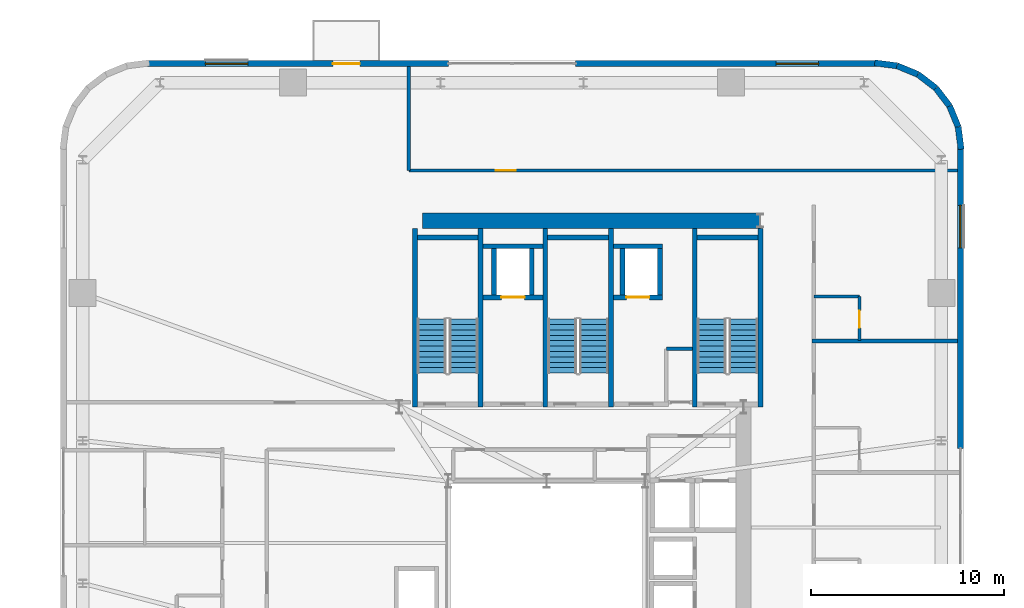
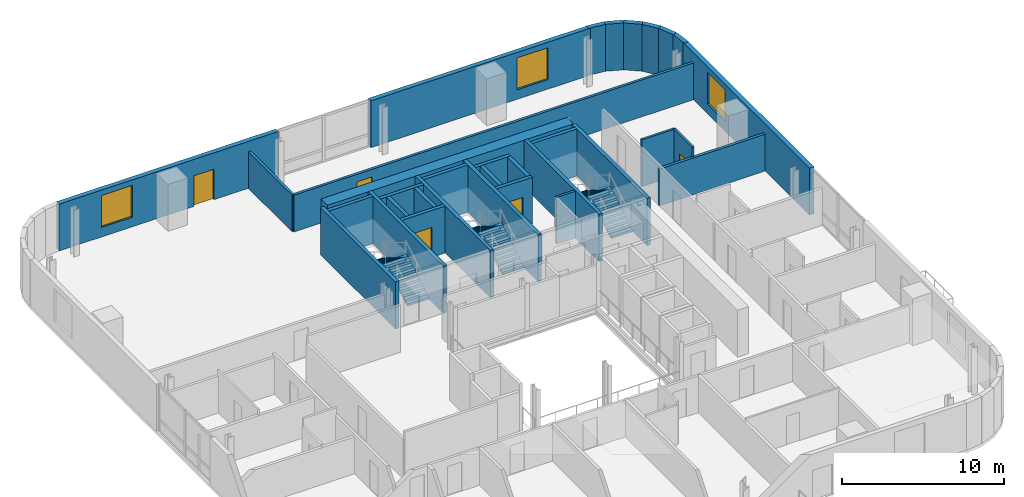
# One storey, part 11 of 16: 33 walls, 6 stair flights, 5 doors, 3 windows, 8 openings, 3 elements without a shape of their own.
"""IFC4 building model written with IfcOpenShell, lengths in metres."""

from ifc_helpers import new_model, si_unit, direction, frame, frame_2d, origin, place, context, subcontext, project, spatial, polyline, rectangle, outline, extrude, source, transform, mapped, material, layer, layer_set, type_object, element, fill, aggregate, save


model = new_model("IFC4")

# Units and contexts
model_context = context("Model", 3, precision=1e-05, world=origin(), true_north=direction((0.0, 1.0)))
body_context = subcontext(model_context, "Body", "Model", "MODEL_VIEW")
ifc_project = project(units=[si_unit("LENGTHUNIT", "METRE"), si_unit("AREAUNIT", "SQUARE_METRE"), si_unit("VOLUMEUNIT", "CUBIC_METRE"), si_unit("PLANEANGLEUNIT", "RADIAN"), si_unit("MASSUNIT", "GRAM", prefix="KILO")], contexts=[model_context])

# Site, building, storey
site_placement = place(None, origin())
site = spatial("IfcSite", under=ifc_project, at=site_placement, CompositionType="ELEMENT")
building_placement = place(site_placement, origin())
building = spatial("IfcBuilding", under=site, at=building_placement, Name="Vardaveli Station Tower", CompositionType="ELEMENT")
storey_placement = place(building_placement, frame((0.0, 0.0, 199.800048828125)))
storey = spatial("IfcBuildingStorey", under=building, at=storey_placement, Name="L51", CompositionType="ELEMENT", Elevation=199.800048828125)

# Wall
ifc_material_1 = material(Name="Concrete C50/60", Category="concrete")
ifc_layer_1 = layer(ifc_material_1, 0.800048828125, Name="Concrete C50/60")
ifc_layer_set_1 = layer_set([ifc_layer_1], Name="Concrete C50/60")
wall_type_1 = type_object("IfcWallType", Name="WAL-CORE-800", PredefinedType="SHEAR", material=ifc_layer_set_1)
shared_shape_1 = source(origin(), body_context, "Body", "SweptSolid", [
    extrude(rectangle(XDim=17.52001953125, YDim=0.800048828125, at=frame_2d((8.760009765625, 0.0))), origin(), (0.0, 0.0, 1.0), 3.530029296875),
])
wall_1_placement = place(storey_placement, frame((29.85009765625, 40.300048828125, 0.0), z_axis=(0.0, 0.0, 1.0), x_axis=(1.0, 0.0, 0.0)))
element("IfcWall", 1, at=wall_1_placement, inside=storey, type_object=wall_type_1, Name="SW-L51-NORTH", PredefinedType="SHEAR", context=body_context, shape_type="MappedRepresentation", body=[
    mapped(shared_shape_1, transform((0.0, 0.0, 0.0), scale=1.0)),
])

# Wall, opening, window
ifc_material_2 = material(Name="Precast concrete C45/55", Category="concrete")
ifc_layer_2 = layer(ifc_material_2, 0.320068359375, Name="Precast concrete C45/55")
ifc_layer_set_2 = layer_set([ifc_layer_2], Name="Precast concrete C45/55")
wall_type_2 = type_object("IfcWallType", Name="WAL-EXT-STONE-320", PredefinedType="SOLIDWALL", material=ifc_layer_set_2)
shared_shape_2 = source(origin(), body_context, "Body", "SweptSolid", [
    extrude(rectangle(XDim=15.599853515625, YDim=0.320068359375, at=frame_2d((7.7998046875, 0.0))), origin(), (0.0, 0.0, 1.0), 3.530029296875),
])
wall_2_placement = place(storey_placement, frame((53.39990234375, 48.43994140625, 0.0), z_axis=(0.0, 0.0, 1.0), x_axis=(-1.0, 0.0, 0.0)))
wall_2 = element("IfcWall", 2, at=wall_2_placement, inside=storey, type_object=wall_type_2, Name="EW-L51-N1", PredefinedType="SOLIDWALL", context=body_context, shape_type="MappedRepresentation", body=[
    mapped(shared_shape_2, transform((0.0, 0.0, 0.0), scale=1.0)),
])
shared_shape_3 = source(origin(), body_context, "Body", "SweptSolid", [
    extrude(rectangle(XDim=2.199951171875, YDim=2.39990234375, at=frame_2d((1.10009765625, 1.199951171875))), frame((0.0, 0.169921875, 0.0), z_axis=(0.0, -1.0, 0.0), x_axis=(1.0, 0.0, 0.0)), (0.0, 0.0, 1.0), 0.340087890625),
])
opening_1_placement = place(wall_2_placement, frame((3.0048828125, 0.0, 0.719970703125)))
opening_1 = element("IfcOpeningElement", 3, at=opening_1_placement, cuts=wall_2, Name="Opening W-03", PredefinedType="OPENING", context=body_context, shape_type="MappedRepresentation", body=[
    mapped(shared_shape_3, transform((0.0, 0.0, 0.0), scale=1.0)),
])
ifc_material_3 = material(Name="Low-E solar-control glass", Category="glass")
window_type = type_object("IfcWindowType", Name="WIN-LOG-2200x2400", PartitioningType="SINGLE_PANEL", PredefinedType="WINDOW", material=ifc_material_3)
shared_shape_4 = source(origin(), body_context, "Body", "SweptSolid", [
    extrude(rectangle(XDim=2.199951171875, YDim=2.39990234375, at=frame_2d((1.10009765625, 1.199951171875))), frame((0.0, 0.030029296875, 0.0), z_axis=(0.0, -1.0, 0.0), x_axis=(1.0, 0.0, 0.0)), (0.0, 0.0, 1.0), 0.06005859375),
])
window_1_placement = place(opening_1_placement, origin())
window_1 = element("IfcWindow", 4, at=window_1_placement, inside=storey, type_object=window_type, Name="WN-L51-N1", OverallHeight=2.39990234375, OverallWidth=2.199951171875, PartitioningType="SINGLE_PANEL", PredefinedType="WINDOW", context=body_context, shape_type="MappedRepresentation", body=[
    mapped(shared_shape_4, transform((0.0, 0.0, 0.0), scale=1.0)),
])
fill(opening_1, window_1)

# Wall, openings, door, window
wall_3_placement = place(storey_placement, frame((31.199951171875, 48.43994140625, 0.0), z_axis=(0.0, 0.0, 1.0), x_axis=(-1.0, 0.0, 0.0)))
wall_3 = element("IfcWall", 5, at=wall_3_placement, inside=storey, type_object=wall_type_2, Name="EW-L51-N2", PredefinedType="SOLIDWALL", context=body_context, shape_type="MappedRepresentation", body=[
    mapped(shared_shape_2, transform((0.0, 0.0, 0.0), scale=1.0)),
])
shared_shape_5 = source(origin(), body_context, "Body", "SweptSolid", [
    extrude(rectangle(XDim=1.39990234375, YDim=2.300048828125, at=frame_2d((0.699951171875, 1.14990234375))), frame((0.0, 0.169921875, 0.0), z_axis=(0.0, -1.0, 0.0), x_axis=(1.0, 0.0, 0.0)), (0.0, 0.0, 1.0), 0.340087890625),
])
opening_2_placement = place(wall_3_placement, frame((4.589599609375, 0.0, 0.0)))
opening_2 = element("IfcOpeningElement", 6, at=opening_2_placement, cuts=wall_3, Name="Opening D-09", PredefinedType="OPENING", context=body_context, shape_type="MappedRepresentation", body=[
    mapped(shared_shape_5, transform((0.0, 0.0, 0.0), scale=1.0)),
])
opening_3_placement = place(wall_3_placement, frame((10.39501953125, 0.0, 0.719970703125)))
opening_3 = element("IfcOpeningElement", 7, at=opening_3_placement, cuts=wall_3, Name="Opening W-03", PredefinedType="OPENING", context=body_context, shape_type="MappedRepresentation", body=[
    mapped(shared_shape_3, transform((0.0, 0.0, 0.0), scale=1.0)),
])
ifc_material_4 = material(Name="Thermally broken aluminium glass", Category="aluminium")
door_type_1 = type_object("IfcDoorType", Name="DR-LOG-1400x2300", OperationType="DOUBLE_DOOR_SLIDING", PredefinedType="DOOR", material=ifc_material_4)
shared_shape_6 = source(origin(), body_context, "Body", "SweptSolid", [
    extrude(rectangle(XDim=1.39990234375, YDim=2.300048828125, at=frame_2d((0.699951171875, 1.14990234375))), frame((0.0, 0.02490234375, 0.0), z_axis=(0.0, -1.0, 0.0), x_axis=(1.0, 0.0, 0.0)), (0.0, 0.0, 1.0), 0.050048828125),
])
door_1_placement = place(opening_2_placement, frame((1.39990234375, 0.0, 0.0), z_axis=(0.0, 0.0, 1.0), x_axis=(-1.0, 0.0, 0.0)))
door_1 = element("IfcDoor", 8, at=door_1_placement, inside=storey, type_object=door_type_1, Name="DLG-L51-N", OperationType="DOUBLE_DOOR_SLIDING", OverallHeight=2.300048828125, OverallWidth=1.39990234375, PredefinedType="DOOR", context=body_context, shape_type="MappedRepresentation", body=[
    mapped(shared_shape_6, transform((0.0, 0.0, 0.0), scale=1.0)),
])
fill(opening_2, door_1)
window_2_placement = place(opening_3_placement, origin())
window_2 = element("IfcWindow", 9, at=window_2_placement, inside=storey, type_object=window_type, Name="WN-L51-N2", OverallHeight=2.39990234375, OverallWidth=2.199951171875, PartitioningType="SINGLE_PANEL", PredefinedType="WINDOW", context=body_context, shape_type="MappedRepresentation", body=[
    mapped(shared_shape_4, transform((0.0, 0.0, 0.0), scale=1.0)),
])
fill(opening_3, window_2)

# Wall, opening, window
shared_shape_7 = source(origin(), body_context, "Body", "SweptSolid", [
    extrude(rectangle(XDim=15.60009765625, YDim=0.320068359375, at=frame_2d((7.800048828125, 0.0))), origin(), (0.0, 0.0, 1.0), 3.530029296875),
])
wall_4_placement = place(storey_placement, frame((57.739990234375, 28.5, 0.0), z_axis=(0.0, 0.0, 1.0), x_axis=(0.0, 1.0, 0.0)))
wall_4 = element("IfcWall", 10, at=wall_4_placement, inside=storey, type_object=wall_type_2, Name="EW-L51-E2", PredefinedType="SOLIDWALL", context=body_context, shape_type="MappedRepresentation", body=[
    mapped(shared_shape_7, transform((0.0, 0.0, 0.0), scale=1.0)),
])
opening_4_placement = place(wall_4_placement, frame((10.39501953125, 0.0, 0.719970703125)))
opening_4 = element("IfcOpeningElement", 11, at=opening_4_placement, cuts=wall_4, Name="Opening W-03", PredefinedType="OPENING", context=body_context, shape_type="MappedRepresentation", body=[
    mapped(shared_shape_3, transform((0.0, 0.0, 0.0), scale=1.0)),
])
window_3_placement = place(opening_4_placement, origin())
window_3 = element("IfcWindow", 12, at=window_3_placement, inside=storey, type_object=window_type, Name="WN-L51-E2", OverallHeight=2.39990234375, OverallWidth=2.199951171875, PartitioningType="SINGLE_PANEL", PredefinedType="WINDOW", context=body_context, shape_type="MappedRepresentation", body=[
    mapped(shared_shape_4, transform((0.0, 0.0, 0.0), scale=1.0)),
])
fill(opening_4, window_3)

# Walls
shared_shape_8 = source(origin(), body_context, "Body", "SweptSolid", [
    extrude(rectangle(XDim=1.1689453125, YDim=0.320068359375, at=frame_2d((0.58447265625, 0.0))), origin(), (0.0, 0.0, 1.0), 3.530029296875),
])
wall_5_placement = place(storey_placement, frame((57.179931640625, 46.2412109375, 0.0), z_axis=(0.0, 0.0, 1.0), x_axis=(-0.608387696831, 0.793639975269, 0.0)))
element("IfcWall", 13, at=wall_5_placement, inside=storey, type_object=wall_type_2, Name="EW-L51-CR3-3", PredefinedType="SOLIDWALL", context=body_context, shape_type="MappedRepresentation", body=[
    mapped(shared_shape_8, transform((0.0, 0.0, 0.0), scale=1.0)),
])
shared_shape_9 = source(origin(), body_context, "Body", "SweptSolid", [
    extrude(rectangle(XDim=1.168701171875, YDim=0.320068359375, at=frame_2d((0.58447265625, 0.0))), origin(), (0.0, 0.0, 1.0), 3.530029296875),
])
wall_6_placement = place(storey_placement, frame((56.46875, 47.1689453125, 0.0), z_axis=(0.0, 0.0, 1.0), x_axis=(-0.793663520347, 0.608356981114, 0.0)))
element("IfcWall", 14, at=wall_6_placement, inside=storey, type_object=wall_type_2, Name="EW-L51-CR3-4", PredefinedType="SOLIDWALL", context=body_context, shape_type="MappedRepresentation", body=[
    mapped(shared_shape_9, transform((0.0, 0.0, 0.0), scale=1.0)),
])
shared_shape_10 = source(origin(), body_context, "Body", "SweptSolid", [
    extrude(rectangle(XDim=1.17041015625, YDim=0.320068359375, at=frame_2d((0.585205078125, 0.0))), origin(), (0.0, 0.0, 1.0), 3.530029296875),
])
for number, where, z_axis, x_axis, name in (
    (15, (57.775634765625, 43.99951171875, 0.0), (0.0, 0.0, 1.0), (-0.128295670475, 0.991735963317, 0.0), "EW-L51-CR3-1"),
    (16, (54.460205078125, 48.325439453125, 0.0), (0.0, 0.0, 1.0), (-0.991735963317, 0.128295670475, 0.0), "EW-L51-CR3-6"),
):
    element("IfcWall", number, at=place(storey_placement, frame(where, z_axis=z_axis, x_axis=x_axis)), inside=storey, type_object=wall_type_2, Name=name, PredefinedType="SOLIDWALL", context=body_context, shape_type="MappedRepresentation", body=[
        mapped(shared_shape_10, transform((0.0, 0.0, 0.0), scale=1.0)),
    ])
shared_shape_11 = source(origin(), body_context, "Body", "SweptSolid", [
    extrude(rectangle(XDim=1.169189453125, YDim=0.320068359375, at=frame_2d((0.58447265625, 0.0))), origin(), (0.0, 0.0, 1.0), 3.530029296875),
])
for number, where, z_axis, x_axis, name in (
    (17, (57.62548828125, 45.16015625, 0.0), (0.0, 0.0, 1.0), (-0.381054331552, 0.924552646638, 0.0), "EW-L51-CR3-2"),
    (18, (55.541259765625, 47.8798828125, 0.0), (0.0, 0.0, 1.0), (-0.924552646638, 0.381054331552, 0.0), "EW-L51-CR3-5"),
):
    element("IfcWall", number, at=place(storey_placement, frame(where, z_axis=z_axis, x_axis=x_axis)), inside=storey, type_object=wall_type_2, Name=name, PredefinedType="SOLIDWALL", context=body_context, shape_type="MappedRepresentation", body=[
        mapped(shared_shape_11, transform((0.0, 0.0, 0.0), scale=1.0)),
    ])
ifc_material_5 = material(Name="Concrete C40/50", Category="concrete")
ifc_layer_3 = layer(ifc_material_5, 0.25, Name="Concrete C40/50")
ifc_layer_set_3 = layer_set([ifc_layer_3], Name="Concrete C40/50")
wall_type_3 = type_object("IfcWallType", Name="WAL-SHAFT-250", PredefinedType="SOLIDWALL", material=ifc_layer_set_3)
shared_shape_12 = source(origin(), body_context, "Body", "SweptSolid", [
    extrude(rectangle(XDim=9.25, YDim=0.25, at=frame_2d((4.625, 0.0))), origin(), (0.0, 0.0, 1.0), 3.550048828125),
])
for number, where, z_axis, x_axis, name in (
    (19, (29.47509765625, 30.64990234375, 0.0), (0.0, 0.0, 1.0), (0.0, 1.0, 0.0), "W-L51-ST-1W"),
    (20, (32.875, 30.64990234375, 0.0), (0.0, 0.0, 1.0), (0.0, 1.0, 0.0), "W-L51-ST-1E"),
    (21, (36.22509765625, 30.64990234375, 0.0), (0.0, 0.0, 1.0), (0.0, 1.0, 0.0), "W-L51-ST-2W"),
    (22, (39.625, 30.64990234375, 0.0), (0.0, 0.0, 1.0), (0.0, 1.0, 0.0), "W-L51-ST-2E"),
    (23, (43.97509765625, 30.64990234375, 0.0), (0.0, 0.0, 1.0), (0.0, 1.0, 0.0), "W-L51-ST-3W"),
    (24, (47.375, 30.64990234375, 0.0), (0.0, 0.0, 1.0), (0.0, 1.0, 0.0), "W-L51-ST-3E"),
):
    element("IfcWall", number, at=place(storey_placement, frame(where, z_axis=z_axis, x_axis=x_axis)), inside=storey, type_object=wall_type_3, Name=name, PredefinedType="SOLIDWALL", context=body_context, shape_type="MappedRepresentation", body=[
        mapped(shared_shape_12, transform((0.0, 0.0, 0.0), scale=1.0)),
    ])
shared_shape_13 = source(origin(), body_context, "Body", "SweptSolid", [
    extrude(rectangle(XDim=3.14990234375, YDim=0.25, at=frame_2d((1.574951171875, 0.0))), origin(), (0.0, 0.0, 1.0), 3.550048828125),
])
for number, where, z_axis, x_axis, name in (
    (25, (29.60009765625, 39.425048828125, 0.0), (0.0, 0.0, 1.0), (1.0, 0.0, 0.0), "W-L51-ST-1N"),
    (26, (36.35009765625, 39.425048828125, 0.0), (0.0, 0.0, 1.0), (1.0, 0.0, 0.0), "W-L51-ST-2N"),
    (27, (44.10009765625, 39.425048828125, 0.0), (0.0, 0.0, 1.0), (1.0, 0.0, 0.0), "W-L51-ST-3N"),
):
    element("IfcWall", number, at=place(storey_placement, frame(where, z_axis=z_axis, x_axis=x_axis)), inside=storey, type_object=wall_type_3, Name=name, PredefinedType="SOLIDWALL", context=body_context, shape_type="MappedRepresentation", body=[
        mapped(shared_shape_13, transform((0.0, 0.0, 0.0), scale=1.0)),
    ])

# Wall, opening, door
shared_shape_14 = source(origin(), body_context, "Body", "SweptSolid", [
    extrude(rectangle(XDim=3.10009765625, YDim=0.25, at=frame_2d((1.550048828125, 0.0))), origin(), (0.0, 0.0, 1.0), 3.530029296875),
])
wall_7_placement = place(storey_placement, frame((33.0, 36.324951171875, 0.0), z_axis=(0.0, 0.0, 1.0), x_axis=(1.0, 0.0, 0.0)))
wall_7 = element("IfcWall", 28, at=wall_7_placement, inside=storey, type_object=wall_type_3, Name="SHW-FFL-01-L51-S", PredefinedType="SOLIDWALL", context=body_context, shape_type="MappedRepresentation", body=[
    mapped(shared_shape_14, transform((0.0, 0.0, 0.0), scale=1.0)),
])
shared_shape_15 = source(origin(), body_context, "Body", "SweptSolid", [
    extrude(rectangle(XDim=1.199951171875, YDim=2.25, at=frame_2d((0.60009765625, 1.125))), frame((0.0, 0.135009765625, 0.0), z_axis=(0.0, -1.0, 0.0), x_axis=(1.0, 0.0, 0.0)), (0.0, 0.0, 1.0), 0.27001953125),
])
opening_5_placement = place(wall_7_placement, frame((0.949951171875, 0.0, 0.0)))
opening_5 = element("IfcOpeningElement", 29, at=opening_5_placement, cuts=wall_7, Name="Opening LD-02", PredefinedType="OPENING", context=body_context, shape_type="MappedRepresentation", body=[
    mapped(shared_shape_15, transform((0.0, 0.0, 0.0), scale=1.0)),
])
ifc_material_6 = material(Name="Brushed stainless steel", Category="steel")
door_type_2 = type_object("IfcDoorType", Name="DR-LD-1200x2250", OperationType="DOUBLE_DOOR_SLIDING", PredefinedType="DOOR", material=ifc_material_6)
shared_shape_16 = source(origin(), body_context, "Body", "SweptSolid", [
    extrude(rectangle(XDim=1.199951171875, YDim=2.25, at=frame_2d((0.60009765625, 1.125))), frame((0.0, 0.02490234375, 0.0), z_axis=(0.0, -1.0, 0.0), x_axis=(1.0, 0.0, 0.0)), (0.0, 0.0, 1.0), 0.050048828125),
])
door_2_placement = place(opening_5_placement, origin())
door_2 = element("IfcDoor", 30, at=door_2_placement, inside=storey, type_object=door_type_2, Name="LD-FFL-01-L51", OperationType="DOUBLE_DOOR_SLIDING", OverallHeight=2.25, OverallWidth=1.199951171875, PredefinedType="DOOR", context=body_context, shape_type="MappedRepresentation", body=[
    mapped(shared_shape_16, transform((0.0, 0.0, 0.0), scale=1.0)),
])
fill(opening_5, door_2)

# Walls
wall_8_placement = place(storey_placement, frame((33.0, 38.97509765625, 0.0), z_axis=(0.0, 0.0, 1.0), x_axis=(1.0, 0.0, 0.0)))
element("IfcWall", 31, at=wall_8_placement, inside=storey, type_object=wall_type_3, Name="SHW-FFL-01-L51-N", PredefinedType="SOLIDWALL", context=body_context, shape_type="MappedRepresentation", body=[
    mapped(shared_shape_14, transform((0.0, 0.0, 0.0), scale=1.0)),
])
shared_shape_17 = source(origin(), body_context, "Body", "SweptSolid", [
    extrude(rectangle(XDim=2.400146484375, YDim=0.25, at=frame_2d((1.2001953125, 0.0))), origin(), (0.0, 0.0, 1.0), 3.530029296875),
])
for number, where, z_axis, x_axis, name in (
    (32, (33.574951171875, 36.449951171875, 0.0), (0.0, 0.0, 1.0), (0.0, 1.0, 0.0), "SHW-FFL-01-L51-W"),
    (33, (35.52490234375, 36.449951171875, 0.0), (0.0, 0.0, 1.0), (0.0, 1.0, 0.0), "SHW-FFL-01-L51-E"),
    (34, (40.22509765625, 36.449951171875, 0.0), (0.0, 0.0, 1.0), (0.0, 1.0, 0.0), "SHW-FFL-02-L51-W"),
    (35, (42.175048828125, 36.449951171875, 0.0), (0.0, 0.0, 1.0), (0.0, 1.0, 0.0), "SHW-FFL-02-L51-E"),
):
    element("IfcWall", number, at=place(storey_placement, frame(where, z_axis=z_axis, x_axis=x_axis)), inside=storey, type_object=wall_type_3, Name=name, PredefinedType="SOLIDWALL", context=body_context, shape_type="MappedRepresentation", body=[
        mapped(shared_shape_17, transform((0.0, 0.0, 0.0), scale=1.0)),
    ])

# Wall, opening, door
shared_shape_18 = source(origin(), body_context, "Body", "SweptSolid", [
    extrude(rectangle(XDim=2.550048828125, YDim=0.25, at=frame_2d((1.27490234375, 0.0))), origin(), (0.0, 0.0, 1.0), 3.530029296875),
])
wall_9_placement = place(storey_placement, frame((39.75, 36.324951171875, 0.0), z_axis=(0.0, 0.0, 1.0), x_axis=(1.0, 0.0, 0.0)))
wall_9 = element("IfcWall", 36, at=wall_9_placement, inside=storey, type_object=wall_type_3, Name="SHW-FFL-02-L51-S", PredefinedType="SOLIDWALL", context=body_context, shape_type="MappedRepresentation", body=[
    mapped(shared_shape_18, transform((0.0, 0.0, 0.0), scale=1.0)),
])
opening_6_placement = place(wall_9_placement, frame((0.675048828125, 0.0, 0.0)))
opening_6 = element("IfcOpeningElement", 37, at=opening_6_placement, cuts=wall_9, Name="Opening LD-02", PredefinedType="OPENING", context=body_context, shape_type="MappedRepresentation", body=[
    mapped(shared_shape_15, transform((0.0, 0.0, 0.0), scale=1.0)),
])
door_3_placement = place(opening_6_placement, origin())
door_3 = element("IfcDoor", 38, at=door_3_placement, inside=storey, type_object=door_type_2, Name="LD-FFL-02-L51", OperationType="DOUBLE_DOOR_SLIDING", OverallHeight=2.25, OverallWidth=1.199951171875, PredefinedType="DOOR", context=body_context, shape_type="MappedRepresentation", body=[
    mapped(shared_shape_16, transform((0.0, 0.0, 0.0), scale=1.0)),
])
fill(opening_6, door_3)

# Wall
wall_10_placement = place(storey_placement, frame((39.75, 38.97509765625, 0.0), z_axis=(0.0, 0.0, 1.0), x_axis=(1.0, 0.0, 0.0)))
element("IfcWall", 39, at=wall_10_placement, inside=storey, type_object=wall_type_3, Name="SHW-FFL-02-L51-N", PredefinedType="SOLIDWALL", context=body_context, shape_type="MappedRepresentation", body=[
    mapped(shared_shape_18, transform((0.0, 0.0, 0.0), scale=1.0)),
])

# Wall, opening, door
ifc_material_7 = material(Name="Fire-rated gypsum stud partition")
ifc_layer_4 = layer(ifc_material_7, 0.179931640625, Name="Fire-rated gypsum stud partition")
ifc_layer_set_4 = layer_set([ifc_layer_4], Name="Fire-rated gypsum stud partition")
wall_type_4 = type_object("IfcWallType", Name="WAL-CORR-180", PredefinedType="PARTITIONING", material=ifc_layer_set_4)
shared_shape_19 = source(origin(), body_context, "Body", "SweptSolid", [
    extrude(rectangle(XDim=28.427978515625, YDim=0.179931640625, at=frame_2d((14.2138671875, 0.0))), origin(), (0.0, 0.0, 1.0), 2.77197265625),
])
wall_11_placement = place(storey_placement, frame((29.14990234375, 42.89990234375, 0.0), z_axis=(0.0, 0.0, 1.0), x_axis=(1.0, 0.0, 0.0)))
wall_11 = element("IfcWall", 40, at=wall_11_placement, inside=storey, type_object=wall_type_4, Name="W-L51-NPS", PredefinedType="PARTITIONING", context=body_context, shape_type="MappedRepresentation", body=[
    mapped(shared_shape_19, transform((0.0, 0.0, 0.0), scale=1.0)),
])
shared_shape_20 = source(origin(), body_context, "Body", "SweptSolid", [
    extrude(rectangle(XDim=1.050048828125, YDim=2.199951171875, at=frame_2d((0.52490234375, 1.10009765625))), frame((0.0, 0.10009765625, 0.0), z_axis=(0.0, -1.0, 0.0), x_axis=(1.0, 0.0, 0.0)), (0.0, 0.0, 1.0), 0.199951171875),
])
opening_7_placement = place(wall_11_placement, frame((4.5, 0.0, 0.0)))
opening_7 = element("IfcOpeningElement", 41, at=opening_7_placement, cuts=wall_11, Name="Opening D-05", PredefinedType="OPENING", context=body_context, shape_type="MappedRepresentation", body=[
    mapped(shared_shape_20, transform((0.0, 0.0, 0.0), scale=1.0)),
])
ifc_material_8 = material(Name="Walnut veneer acoustic fire door")
door_type_3 = type_object("IfcDoorType", Name="DR-SUITE-1050x2200", OperationType="NOTDEFINED", PredefinedType="DOOR", material=ifc_material_8)
shared_shape_21 = source(origin(), body_context, "Body", "SweptSolid", [
    extrude(rectangle(XDim=1.050048828125, YDim=2.199951171875, at=frame_2d((0.52490234375, 1.10009765625))), frame((0.0, 0.02490234375, 0.0), z_axis=(0.0, -1.0, 0.0), x_axis=(1.0, 0.0, 0.0)), (0.0, 0.0, 1.0), 0.050048828125),
])
door_4_placement = place(opening_7_placement, origin())
door_4 = element("IfcDoor", 42, at=door_4_placement, inside=storey, type_object=door_type_3, Name="D-L51-NP1", OperationType="SINGLE_SWING_RIGHT", OverallHeight=2.199951171875, OverallWidth=1.050048828125, PredefinedType="DOOR", context=body_context, shape_type="MappedRepresentation", body=[
    mapped(shared_shape_21, transform((0.0, 0.0, 0.0), scale=1.0)),
])
fill(opening_7, door_4)

# Walls
ifc_material_9 = material(Name="Acoustic twin-stud gypsum partition")
ifc_layer_5 = layer(ifc_material_9, 0.199951171875, Name="Acoustic twin-stud gypsum partition")
ifc_layer_set_5 = layer_set([ifc_layer_5], Name="Acoustic twin-stud gypsum partition")
wall_type_5 = type_object("IfcWallType", Name="WAL-PARTY-200", PredefinedType="PARTITIONING", material=ifc_layer_set_5)
shared_shape_22 = source(origin(), body_context, "Body", "SweptSolid", [
    extrude(rectangle(XDim=7.52783203125, YDim=0.199951171875, at=frame_2d((3.763916015625, 0.0))), origin(), (0.0, 0.0, 1.0), 2.77197265625),
])
wall_12_placement = place(storey_placement, frame((50.050048828125, 34.068115234375, 0.0), z_axis=(0.0, 0.0, 1.0), x_axis=(1.0, 0.0, 0.0)))
element("IfcWall", 43, at=wall_12_placement, inside=storey, type_object=wall_type_5, Name="W-L51-PE3", PredefinedType="PARTITIONING", context=body_context, shape_type="MappedRepresentation", body=[
    mapped(shared_shape_22, transform((0.0, 0.0, 0.0), scale=1.0)),
])
shared_shape_23 = source(origin(), body_context, "Body", "SweptSolid", [
    extrude(rectangle(XDim=5.378173828125, YDim=0.179931640625, at=frame_2d((2.68896484375, 0.0))), origin(), (0.0, 0.0, 1.0), 2.77197265625),
])
wall_13_placement = place(storey_placement, frame((29.14990234375, 42.89990234375, 0.0), z_axis=(0.0, 0.0, 1.0), x_axis=(0.0, 1.0, 0.0)))
element("IfcWall", 44, at=wall_13_placement, inside=storey, type_object=wall_type_4, Name="W-L51-NPW", PredefinedType="PARTITIONING", context=body_context, shape_type="MappedRepresentation", body=[
    mapped(shared_shape_23, transform((0.0, 0.0, 0.0), scale=1.0)),
])
ifc_material_10 = material(Name="Moisture-resistant stud partition")
ifc_layer_6 = layer(ifc_material_10, 0.14990234375, Name="Moisture-resistant stud partition")
ifc_layer_set_6 = layer_set([ifc_layer_6], Name="Moisture-resistant stud partition")
wall_type_6 = type_object("IfcWallType", Name="WAL-WET-150", PredefinedType="PARTITIONING", material=ifc_layer_set_6)
shared_shape_24 = source(origin(), body_context, "Body", "SweptSolid", [
    extrude(rectangle(XDim=2.360107421875, YDim=0.14990234375, at=frame_2d((1.18017578125, 0.0))), origin(), (0.0, 0.0, 1.0), 3.530029296875),
])
wall_14_placement = place(storey_placement, frame((50.14990234375, 36.3779296875, 0.0), z_axis=(0.0, 0.0, 1.0), x_axis=(1.0, 0.0, 0.0)))
element("IfcWall", 45, at=wall_14_placement, inside=storey, type_object=wall_type_6, Name="W-L51-BE4-N", PredefinedType="PARTITIONING", context=body_context, shape_type="MappedRepresentation", body=[
    mapped(shared_shape_24, transform((0.0, 0.0, 0.0), scale=1.0)),
])
shared_shape_25 = source(origin(), body_context, "Body", "SweptSolid", [
    extrude(rectangle(XDim=1.347900390625, YDim=0.179931640625, at=frame_2d((0.673828125, 0.0))), origin(), (0.0, 0.0, 1.0), 3.530029296875),
])
wall_15_placement = place(storey_placement, frame((42.5, 33.64990234375, 0.0), z_axis=(0.0, 0.0, 1.0), x_axis=(1.0, 0.0, 0.0)))
element("IfcWall", 46, at=wall_15_placement, inside=storey, type_object=wall_type_4, Name="W-L51-CBS0-N", PredefinedType="PARTITIONING", context=body_context, shape_type="MappedRepresentation", body=[
    mapped(shared_shape_25, transform((0.0, 0.0, 0.0), scale=1.0)),
])

# Wall, opening, door
shared_shape_26 = source(origin(), body_context, "Body", "SweptSolid", [
    extrude(rectangle(XDim=2.2900390625, YDim=0.14990234375, at=frame_2d((1.14501953125, 0.0))), origin(), (0.0, 0.0, 1.0), 3.530029296875),
])
wall_16_placement = place(storey_placement, frame((52.510009765625, 34.087890625, 0.0), z_axis=(0.0, 0.0, 1.0), x_axis=(0.0, 1.0, 0.0)))
wall_16 = element("IfcWall", 47, at=wall_16_placement, inside=storey, type_object=wall_type_6, Name="W-L51-BE4-E", PredefinedType="PARTITIONING", context=body_context, shape_type="MappedRepresentation", body=[
    mapped(shared_shape_26, transform((0.0, 0.0, 0.0), scale=1.0)),
])
shared_shape_27 = source(origin(), body_context, "Body", "SweptSolid", [
    extrude(rectangle(XDim=0.89990234375, YDim=2.10009765625, at=frame_2d((0.449951171875, 1.050048828125))), frame((0.0, 0.0849609375, 0.0), z_axis=(0.0, -1.0, 0.0), x_axis=(1.0, 0.0, 0.0)), (0.0, 0.0, 1.0), 0.169921875),
])
opening_8_placement = place(wall_16_placement, frame((0.64990234375, 0.0, 0.0)))
opening_8 = element("IfcOpeningElement", 48, at=opening_8_placement, cuts=wall_16, Name="Opening D-08", PredefinedType="OPENING", context=body_context, shape_type="MappedRepresentation", body=[
    mapped(shared_shape_27, transform((0.0, 0.0, 0.0), scale=1.0)),
])
ifc_material_11 = material(Name="Moisture-resistant oak door")
door_type_4 = type_object("IfcDoorType", Name="DR-BATH-900x2100", OperationType="NOTDEFINED", PredefinedType="DOOR", material=ifc_material_11)
shared_shape_28 = source(origin(), body_context, "Body", "SweptSolid", [
    extrude(rectangle(XDim=0.89990234375, YDim=2.10009765625, at=frame_2d((0.449951171875, 1.050048828125))), frame((0.0, 0.02490234375, 0.0), z_axis=(0.0, -1.0, 0.0), x_axis=(1.0, 0.0, 0.0)), (0.0, 0.0, 1.0), 0.050048828125),
])
door_5_placement = place(opening_8_placement, origin())
door_5 = element("IfcDoor", 49, at=door_5_placement, inside=storey, type_object=door_type_4, Name="D-L51-BE4", OperationType="SINGLE_SWING_LEFT", OverallHeight=2.10009765625, OverallWidth=0.89990234375, PredefinedType="DOOR", context=body_context, shape_type="MappedRepresentation", body=[
    mapped(shared_shape_28, transform((0.0, 0.0, 0.0), scale=1.0)),
])
fill(opening_8, door_5)

# Stair, stair flights
stair_type = type_object("IfcStairType", Name="STR-CORE-1500", PredefinedType="HALF_TURN_STAIR", material=ifc_material_5)
stair_1_placement = place(storey_placement, origin())
stair_1 = element("IfcStair", 50, at=stair_1_placement, inside=storey, type_object=stair_type, Name="L51 ST-1", PredefinedType="HALF_TURN_STAIR")
stair_flight_type = type_object("IfcStairFlightType", Name="SFL-CORE-1500", PredefinedType="STRAIGHT", material=ifc_material_5)
shared_shape_29 = source(origin(), body_context, "Body", "SweptSolid", [
    extrude(outline(polyline([(0.0, 0.0), (0.0, 0.17041015625), (0.280029296875, 0.17041015625), (0.280029296875, 0.3408203125), (0.56005859375, 0.3408203125), (0.56005859375, 0.511474609375), (0.840087890625, 0.511474609375), (0.840087890625, 0.681884765625), (1.1201171875, 0.681884765625), (1.1201171875, 0.852294921875), (1.39990234375, 0.852294921875), (1.39990234375, 1.022705078125), (1.679931640625, 1.022705078125), (1.679931640625, 1.193115234375), (1.9599609375, 1.193115234375), (1.9599609375, 1.363525390625), (2.239990234375, 1.363525390625), (2.239990234375, 1.5341796875), (2.52001953125, 1.5341796875), (2.52001953125, 1.70458984375), (2.800048828125, 1.70458984375), (2.800048828125, 1.875), (2.800048828125, 1.529052734375), (0.288330078125, 0.0), (0.0, 0.0)])), frame((0.0, 0.75, 0.0), z_axis=(0.0, -1.0, 0.0), x_axis=(1.0, 0.0, 0.0)), (0.0, 0.0, 1.0), 1.5),
])
stair_flight_1_placement = place(storey_placement, frame((32.0, 32.39990234375, 0.0), z_axis=(0.0, 0.0, 1.0), x_axis=(0.0, 1.0, 0.0)))
stair_flight_1 = element("IfcStairFlight", 51, at=stair_flight_1_placement, type_object=stair_flight_type, Name="ST-1 flight 1", NumberOfRisers=11, NumberOfTreads=10, PredefinedType="STRAIGHT", RiserHeight=0.170454545, TreadLength=0.28, context=body_context, shape_type="MappedRepresentation", body=[
    mapped(shared_shape_29, transform((0.0, 0.0, 0.0), scale=1.0)),
])
stair_flight_2_placement = place(storey_placement, frame((30.35009765625, 35.199951171875, 1.875), z_axis=(0.0, 0.0, 1.0), x_axis=(0.0, -1.0, 0.0)))
stair_flight_2 = element("IfcStairFlight", 52, at=stair_flight_2_placement, type_object=stair_flight_type, Name="ST-1 flight 2", NumberOfRisers=11, NumberOfTreads=10, PredefinedType="STRAIGHT", RiserHeight=0.170454545, TreadLength=0.28, context=body_context, shape_type="MappedRepresentation", body=[
    mapped(shared_shape_29, transform((0.0, 0.0, 0.0), scale=1.0)),
])
aggregate(stair_1, [stair_flight_1, stair_flight_2])

stair_2_placement = place(storey_placement, origin())
stair_2 = element("IfcStair", 53, at=stair_2_placement, inside=storey, type_object=stair_type, Name="L51 ST-2", PredefinedType="HALF_TURN_STAIR")
stair_flight_3_placement = place(storey_placement, frame((38.75, 32.39990234375, 0.0), z_axis=(0.0, 0.0, 1.0), x_axis=(0.0, 1.0, 0.0)))
stair_flight_3 = element("IfcStairFlight", 54, at=stair_flight_3_placement, type_object=stair_flight_type, Name="ST-2 flight 1", NumberOfRisers=11, NumberOfTreads=10, PredefinedType="STRAIGHT", RiserHeight=0.170454545, TreadLength=0.28, context=body_context, shape_type="MappedRepresentation", body=[
    mapped(shared_shape_29, transform((0.0, 0.0, 0.0), scale=1.0)),
])
stair_flight_4_placement = place(storey_placement, frame((37.10009765625, 35.199951171875, 1.875), z_axis=(0.0, 0.0, 1.0), x_axis=(0.0, -1.0, 0.0)))
stair_flight_4 = element("IfcStairFlight", 55, at=stair_flight_4_placement, type_object=stair_flight_type, Name="ST-2 flight 2", NumberOfRisers=11, NumberOfTreads=10, PredefinedType="STRAIGHT", RiserHeight=0.170454545, TreadLength=0.28, context=body_context, shape_type="MappedRepresentation", body=[
    mapped(shared_shape_29, transform((0.0, 0.0, 0.0), scale=1.0)),
])
aggregate(stair_2, [stair_flight_3, stair_flight_4])

stair_3_placement = place(storey_placement, origin())
stair_3 = element("IfcStair", 56, at=stair_3_placement, inside=storey, type_object=stair_type, Name="L51 ST-3", PredefinedType="HALF_TURN_STAIR")
stair_flight_5_placement = place(storey_placement, frame((46.5, 32.39990234375, 0.0), z_axis=(0.0, 0.0, 1.0), x_axis=(0.0, 1.0, 0.0)))
stair_flight_5 = element("IfcStairFlight", 57, at=stair_flight_5_placement, type_object=stair_flight_type, Name="ST-3 flight 1", NumberOfRisers=11, NumberOfTreads=10, PredefinedType="STRAIGHT", RiserHeight=0.170454545, TreadLength=0.28, context=body_context, shape_type="MappedRepresentation", body=[
    mapped(shared_shape_29, transform((0.0, 0.0, 0.0), scale=1.0)),
])
stair_flight_6_placement = place(storey_placement, frame((44.85009765625, 35.199951171875, 1.875), z_axis=(0.0, 0.0, 1.0), x_axis=(0.0, -1.0, 0.0)))
stair_flight_6 = element("IfcStairFlight", 58, at=stair_flight_6_placement, type_object=stair_flight_type, Name="ST-3 flight 2", NumberOfRisers=11, NumberOfTreads=10, PredefinedType="STRAIGHT", RiserHeight=0.170454545, TreadLength=0.28, context=body_context, shape_type="MappedRepresentation", body=[
    mapped(shared_shape_29, transform((0.0, 0.0, 0.0), scale=1.0)),
])
aggregate(stair_3, [stair_flight_5, stair_flight_6])

save(model, "model.ifc")
